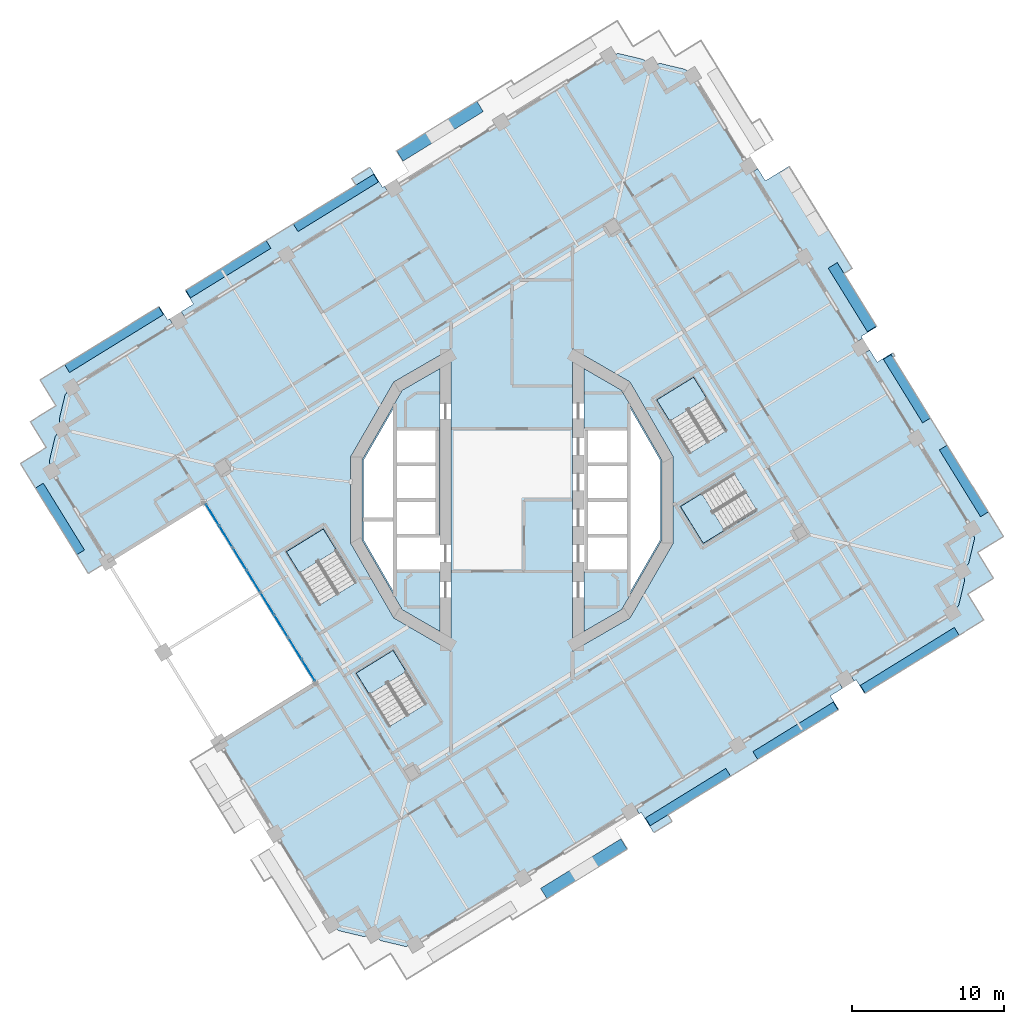
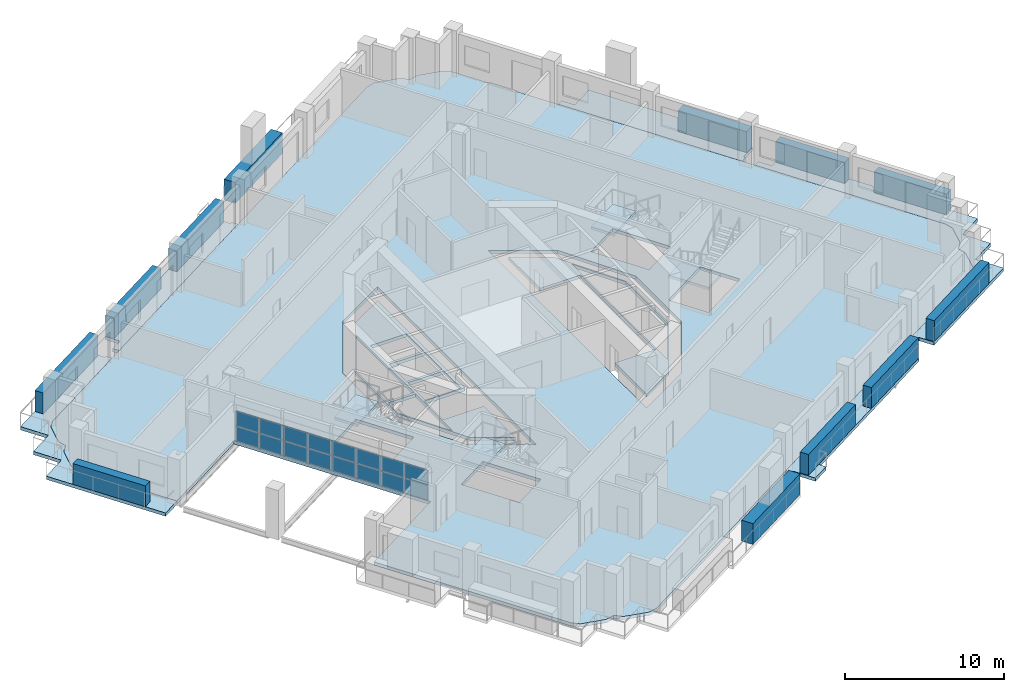
# One storey, part 4 of 20: 28 plates, 12 slabs, 5 elements without a shape of their own.
"""IFC4 building model written with IfcOpenShell, lengths in metres."""

from ifc_helpers import new_model, si_unit, direction, frame, origin, origin_2d, place, context, subcontext, project, spatial, polyline, rectangle, outline, extrude, material, layer, layer_set, type_object, element, aggregate, save


model = new_model("IFC4")

# Units and contexts
model_context = context("Model", 3, precision=1e-05, world=origin(), true_north=direction((0.0, 1.0)))
body_context = subcontext(model_context, "Body", "Model", "MODEL_VIEW")
ifc_project = project(units=[si_unit("LENGTHUNIT", "METRE"), si_unit("AREAUNIT", "SQUARE_METRE"), si_unit("VOLUMEUNIT", "CUBIC_METRE"), si_unit("PLANEANGLEUNIT", "RADIAN"), si_unit("MASSUNIT", "GRAM", prefix="KILO")], contexts=[model_context])

# Site, building, storey
site_placement = place(None, origin())
site = spatial("IfcSite", under=ifc_project, at=site_placement, CompositionType="ELEMENT")
building_placement = place(site_placement, origin())
building = spatial("IfcBuilding", under=site, at=building_placement, Name="Cantera Rosa Tower", CompositionType="ELEMENT")
storey_placement = place(building_placement, frame((0.0, 0.0, 155.199951171875)))
storey = spatial("IfcBuildingStorey", under=building, at=storey_placement, Name="L33", CompositionType="ELEMENT", Elevation=155.199951171875)

# Slabs
ifc_material_1 = material(Name="Concrete C35/45", Category="concrete")
ifc_layer_1 = layer(ifc_material_1, 0.25)
ifc_layer_set_1 = layer_set([ifc_layer_1], Name="COMPOSITE FLOOR SLAB 250 C35/45")
slab_type_1 = type_object("IfcSlabType", Name="COMPOSITE FLOOR SLAB 250 C35/45", PredefinedType="FLOOR", material=ifc_layer_set_1)
slab_1_placement = place(storey_placement, frame((0.0, 0.0, -0.25)))
element("IfcSlab", 1, at=slab_1_placement, inside=storey, type_object=slab_type_1, Name="SLAB L33 floor 1", PredefinedType="FLOOR", context=body_context, shape_type="SweptSolid", body=[
    extrude(outline(polyline([(-7.22900390625, 7.22900390625), (-4.75, 8.660400390625), (-4.75, -2.35009765625), (-7.699951171875, -2.35009765625), (-7.699951171875, -4.699951171875), (-4.75, -4.699951171875), (-4.75, -8.660400390625), (-7.22900390625, -7.22900390625), (-9.875244140625, -2.64599609375), (-9.875244140625, 2.64599609375), (-7.22900390625, 7.22900390625)]), holes=[polyline([(-7.800048828125, -1.3828125), (-9.775146484375, -1.3828125), (-9.775146484375, -2.619384765625), (-7.800048828125, -6.040283203125), (-7.800048828125, -1.3828125)]), polyline([(-7.60009765625, -0.10009765625), (-7.60009765625, -2.25), (-5.0, -2.25), (-5.0, -0.10009765625), (-7.60009765625, -0.10009765625)]), polyline([(-7.60009765625, 2.25), (-7.60009765625, 0.10009765625), (-5.0, 0.10009765625), (-5.0, 2.25), (-7.60009765625, 2.25)]), polyline([(-7.800048828125, -1.1826171875), (-7.800048828125, 6.040283203125), (-9.775146484375, 2.619384765625), (-9.775146484375, -1.1826171875), (-7.800048828125, -1.1826171875)]), polyline([(-5.0, 4.60009765625), (-7.60009765625, 4.60009765625), (-7.60009765625, 2.449951171875), (-5.0, 2.449951171875), (-5.0, 4.60009765625)])]), origin(), (0.0, 0.0, 1.0), 0.25),
])
slab_2_placement = place(storey_placement, frame((0.0, 0.0, -0.25)))
element("IfcSlab", 2, at=slab_2_placement, inside=storey, type_object=slab_type_1, Name="SLAB L33 floor 2", PredefinedType="FLOOR", context=body_context, shape_type="SweptSolid", body=[
    extrude(outline(polyline([(-8.647705078125, -29.0283203125), (-8.673828125, -29.014892578125), (-8.698486328125, -28.998779296875), (-8.721435546875, -28.98046875), (-9.14208984375, -28.60888671875), (-9.684814453125, -28.752197265625), (-9.713623046875, -28.75830078125), (-9.742919921875, -28.761474609375), (-9.772216796875, -28.76171875), (-9.801513671875, -28.75927734375), (-9.83056640625, -28.75390625), (-11.34423828125, -28.395263671875), (-11.37255859375, -28.386962890625), (-11.39990234375, -28.376220703125), (-11.426025390625, -28.362548828125), (-11.45068359375, -28.346435546875), (-11.4736328125, -28.328125), (-11.894287109375, -27.95654296875), (-12.408935546875, -27.122314453125), (-19.264892578125, -16.0068359375), (-12.881591796875, -12.069580078125), (-20.252197265625, -0.119873046875), (-26.6357421875, -4.05712890625), (-30.321044921875, 1.917724609375), (-30.46435546875, 2.460205078125), (-30.470458984375, 2.489013671875), (-30.4736328125, 2.518310546875), (-30.47412109375, 2.5478515625), (-30.4716796875, 2.5771484375), (-30.46630859375, 2.606201171875), (-30.107421875, 4.119873046875), (-30.09912109375, 4.148193359375), (-30.08837890625, 4.17529296875), (-30.07470703125, 4.20166015625), (-30.05859375, 4.226318359375), (-30.040283203125, 4.249267578125), (-29.668701171875, 4.669921875), (-29.81201171875, 5.21240234375), (-29.818115234375, 5.2412109375), (-29.8212890625, 5.2705078125), (-29.82177734375, 5.300048828125), (-29.8193359375, 5.329345703125), (-29.81396484375, 5.3583984375), (-29.455078125, 6.8720703125), (-29.447021484375, 6.900390625), (-29.43603515625, 6.927490234375), (-29.422607421875, 6.953857421875), (-29.406494140625, 6.978515625), (-29.38818359375, 7.00146484375), (-29.0166015625, 7.422119140625), (6.389892578125, 29.260986328125), (6.9326171875, 29.404296875), (6.96142578125, 29.410400390625), (6.99072265625, 29.413818359375), (7.02001953125, 29.4140625), (7.049560546875, 29.41162109375), (7.078369140625, 29.40625), (8.592041015625, 29.047607421875), (8.620361328125, 29.039306640625), (8.647705078125, 29.0283203125), (8.673828125, 29.014892578125), (8.698486328125, 28.998779296875), (8.721435546875, 28.98046875), (9.14208984375, 28.60888671875), (9.684814453125, 28.752197265625), (9.713623046875, 28.75830078125), (9.742919921875, 28.761474609375), (9.772216796875, 28.76171875), (9.801513671875, 28.75927734375), (9.83056640625, 28.75390625), (11.34423828125, 28.395263671875), (11.37255859375, 28.386962890625), (11.39990234375, 28.376220703125), (11.426025390625, 28.362548828125), (11.45068359375, 28.346435546875), (11.4736328125, 28.328125), (11.894287109375, 27.95654296875), (30.321044921875, -1.917724609375), (30.46435546875, -2.460205078125), (30.470458984375, -2.489013671875), (30.4736328125, -2.518310546875), (30.47412109375, -2.5478515625), (30.4716796875, -2.5771484375), (30.46630859375, -2.606201171875), (30.107421875, -4.119873046875), (30.09912109375, -4.148193359375), (30.08837890625, -4.17529296875), (30.07470703125, -4.20166015625), (30.05859375, -4.226318359375), (30.040283203125, -4.249267578125), (29.668701171875, -4.669921875), (29.81201171875, -5.21240234375), (29.818115234375, -5.2412109375), (29.8212890625, -5.2705078125), (29.82177734375, -5.300048828125), (29.8193359375, -5.329345703125), (29.81396484375, -5.3583984375), (29.455078125, -6.8720703125), (29.447021484375, -6.900390625), (29.43603515625, -6.927490234375), (29.422607421875, -6.953857421875), (29.406494140625, -6.978515625), (29.38818359375, -7.00146484375), (29.0166015625, -7.422119140625), (28.18212890625, -7.9365234375), (-6.389892578125, -29.260986328125), (-6.9326171875, -29.404296875), (-6.96142578125, -29.410400390625), (-6.99072265625, -29.413818359375), (-7.02001953125, -29.4140625), (-7.049560546875, -29.41162109375), (-7.078369140625, -29.40625), (-8.592041015625, -29.047607421875), (-8.620361328125, -29.039306640625), (-8.647705078125, -29.0283203125)]), holes=[polyline([(-5.658447265625, -13.433349609375), (-7.830810546875, -9.911376953125), (-10.256591796875, -11.407470703125), (-8.084228515625, -14.929443359375), (-5.658447265625, -13.433349609375)]), polyline([(-10.258544921875, -5.433349609375), (-12.430908203125, -1.911376953125), (-14.8564453125, -3.407470703125), (-12.68408203125, -6.929443359375), (-10.258544921875, -5.433349609375)]), polyline([(-7.7783203125, 7.7783203125), (-10.625244140625, 2.846923828125), (-10.625244140625, -2.846923828125), (-7.7783203125, -7.7783203125), (-4.0, -9.95947265625), (-4.0, 9.95947265625), (-7.7783203125, 7.7783203125)]), polyline([(14.63330078125, 1.741455078125), (11.111328125, -0.430908203125), (12.607421875, -2.8564453125), (16.12939453125, -0.68408203125), (14.63330078125, 1.741455078125)]), polyline([(7.7783203125, -7.7783203125), (10.625244140625, -2.846923828125), (10.625244140625, 2.846923828125), (7.7783203125, 7.7783203125), (4.0, 9.95947265625), (4.0, -9.95947265625), (7.7783203125, -7.7783203125)]), polyline([(11.7158203125, 3.070556640625), (14.1416015625, 4.566650390625), (11.96923828125, 8.088623046875), (9.54345703125, 6.592529296875), (11.7158203125, 3.070556640625)])]), origin(), (0.0, 0.0, 1.0), 0.25),
])
slab_3_placement = place(storey_placement, frame((0.0, 0.0, -0.25)))
element("IfcSlab", 3, at=slab_3_placement, inside=storey, type_object=slab_type_1, Name="SLAB L33 floor 3", PredefinedType="FLOOR", context=body_context, shape_type="SweptSolid", body=[
    extrude(outline(polyline([(7.699951171875, 0.0), (7.699951171875, 2.35009765625), (7.699951171875, 4.699951171875), (4.75, 4.699951171875), (4.75, 8.660400390625), (7.22900390625, 7.22900390625), (9.875244140625, 2.64599609375), (9.875244140625, -2.64599609375), (7.22900390625, -7.22900390625), (4.75, -8.660400390625), (4.75, -4.699951171875), (7.699951171875, -4.699951171875), (7.699951171875, -2.35009765625), (7.699951171875, 0.0)]), holes=[polyline([(9.775146484375, 2.619384765625), (7.800048828125, 6.040283203125), (7.800048828125, 2.449951171875), (7.800048828125, 2.25), (7.800048828125, -2.25), (7.800048828125, -2.449951171875), (7.800048828125, -6.040283203125), (9.775146484375, -2.619384765625), (9.775146484375, 2.619384765625)])]), origin(), (0.0, 0.0, 1.0), 0.25),
])

# Curtain wall, plates
ifc_material_2 = material(Name="Aluminium frame with clear glass", Category="aluminium")
curtain_wall_type = type_object("IfcCurtainWallType", Name="CW1 TERRACE POCKET GLAZING", PredefinedType="NOTDEFINED", material=ifc_material_2)
curtain_wall_placement = place(storey_placement, origin())
curtain_wall = element("IfcCurtainWall", 4, at=curtain_wall_placement, inside=storey, type_object=curtain_wall_type, Name="CW1 CW1", PredefinedType="NOTDEFINED")
ifc_material_3 = material(Name="Aluminium frame with clear glass", Category="aluminium")
ifc_layer_2 = layer(ifc_material_3, 0.028076171875)
ifc_layer_set_2 = layer_set([ifc_layer_2], Name="CW-PANEL POCKET")
plate_type_1 = type_object("IfcPlateType", Name="CW-PANEL POCKET", PredefinedType="CURTAIN_PANEL", material=ifc_layer_set_2)
plate_1_placement = place(storey_placement, frame((-19.726318359375, -0.97265625, 0.06005859375), z_axis=(0.0, 0.0, 1.0), x_axis=(0.52497658034, -0.851116672434, 0.0)))
plate_1 = element("IfcPlate", 5, at=plate_1_placement, type_object=plate_type_1, Name="CW1 panel 1.1", PredefinedType="CURTAIN_PANEL", context=body_context, shape_type="SweptSolid", body=[
    extrude(rectangle(XDim=1.6337890625, YDim=0.028076171875, at=origin_2d()), origin(), (0.0, 0.0, 1.0), 1.115966796875),
])
plate_2_placement = place(storey_placement, frame((-19.726318359375, -0.97265625, 1.23583984375), z_axis=(0.0, 0.0, 1.0), x_axis=(0.52497658034, -0.851116672434, 0.0)))
plate_2 = element("IfcPlate", 6, at=plate_2_placement, type_object=plate_type_1, Name="CW1 panel 1.2", PredefinedType="CURTAIN_PANEL", context=body_context, shape_type="SweptSolid", body=[
    extrude(rectangle(XDim=1.6337890625, YDim=0.028076171875, at=origin_2d()), origin(), (0.0, 0.0, 1.0), 1.115966796875),
])
plate_3_placement = place(storey_placement, frame((-18.829345703125, -2.427001953125, 0.06005859375), z_axis=(0.0, 0.0, 1.0), x_axis=(0.52497658034, -0.851116672434, 0.0)))
plate_3 = element("IfcPlate", 7, at=plate_3_placement, type_object=plate_type_1, Name="CW1 panel 2.1", PredefinedType="CURTAIN_PANEL", context=body_context, shape_type="SweptSolid", body=[
    extrude(rectangle(XDim=1.663818359375, YDim=0.028076171875, at=origin_2d()), origin(), (0.0, 0.0, 1.0), 1.115966796875),
])
plate_4_placement = place(storey_placement, frame((-18.829345703125, -2.427001953125, 1.23583984375), z_axis=(0.0, 0.0, 1.0), x_axis=(0.52497658034, -0.851116672434, 0.0)))
plate_4 = element("IfcPlate", 8, at=plate_4_placement, type_object=plate_type_1, Name="CW1 panel 2.2", PredefinedType="CURTAIN_PANEL", context=body_context, shape_type="SweptSolid", body=[
    extrude(rectangle(XDim=1.663818359375, YDim=0.028076171875, at=origin_2d()), origin(), (0.0, 0.0, 1.0), 1.115966796875),
])
plate_5_placement = place(storey_placement, frame((-17.92431640625, -3.89404296875, 0.06005859375), z_axis=(0.0, 0.0, 1.0), x_axis=(0.52497658034, -0.851116672434, 0.0)))
plate_5 = element("IfcPlate", 9, at=plate_5_placement, type_object=plate_type_1, Name="CW1 panel 3.1", PredefinedType="CURTAIN_PANEL", context=body_context, shape_type="SweptSolid", body=[
    extrude(rectangle(XDim=1.663818359375, YDim=0.028076171875, at=origin_2d()), origin(), (0.0, 0.0, 1.0), 1.115966796875),
])
plate_6_placement = place(storey_placement, frame((-17.92431640625, -3.89404296875, 1.23583984375), z_axis=(0.0, 0.0, 1.0), x_axis=(0.52497658034, -0.851116672434, 0.0)))
plate_6 = element("IfcPlate", 10, at=plate_6_placement, type_object=plate_type_1, Name="CW1 panel 3.2", PredefinedType="CURTAIN_PANEL", context=body_context, shape_type="SweptSolid", body=[
    extrude(rectangle(XDim=1.663818359375, YDim=0.028076171875, at=origin_2d()), origin(), (0.0, 0.0, 1.0), 1.115966796875),
])
plate_7_placement = place(storey_placement, frame((-17.01953125, -5.361083984375, 0.06005859375), z_axis=(0.0, 0.0, 1.0), x_axis=(0.52497658034, -0.851116672434, 0.0)))
plate_7 = element("IfcPlate", 11, at=plate_7_placement, type_object=plate_type_1, Name="CW1 panel 4.1", PredefinedType="CURTAIN_PANEL", context=body_context, shape_type="SweptSolid", body=[
    extrude(rectangle(XDim=1.663818359375, YDim=0.028076171875, at=origin_2d()), origin(), (0.0, 0.0, 1.0), 1.115966796875),
])
plate_8_placement = place(storey_placement, frame((-17.01953125, -5.361083984375, 1.23583984375), z_axis=(0.0, 0.0, 1.0), x_axis=(0.52497658034, -0.851116672434, 0.0)))
plate_8 = element("IfcPlate", 12, at=plate_8_placement, type_object=plate_type_1, Name="CW1 panel 4.2", PredefinedType="CURTAIN_PANEL", context=body_context, shape_type="SweptSolid", body=[
    extrude(rectangle(XDim=1.663818359375, YDim=0.028076171875, at=origin_2d()), origin(), (0.0, 0.0, 1.0), 1.115966796875),
])
plate_9_placement = place(storey_placement, frame((-16.114501953125, -6.828125, 0.06005859375), z_axis=(0.0, 0.0, 1.0), x_axis=(0.52497658034, -0.851116672434, 0.0)))
plate_9 = element("IfcPlate", 13, at=plate_9_placement, type_object=plate_type_1, Name="CW1 panel 5.1", PredefinedType="CURTAIN_PANEL", context=body_context, shape_type="SweptSolid", body=[
    extrude(rectangle(XDim=1.663818359375, YDim=0.028076171875, at=origin_2d()), origin(), (0.0, 0.0, 1.0), 1.115966796875),
])
plate_10_placement = place(storey_placement, frame((-16.114501953125, -6.828125, 1.23583984375), z_axis=(0.0, 0.0, 1.0), x_axis=(0.52497658034, -0.851116672434, 0.0)))
plate_10 = element("IfcPlate", 14, at=plate_10_placement, type_object=plate_type_1, Name="CW1 panel 5.2", PredefinedType="CURTAIN_PANEL", context=body_context, shape_type="SweptSolid", body=[
    extrude(rectangle(XDim=1.663818359375, YDim=0.028076171875, at=origin_2d()), origin(), (0.0, 0.0, 1.0), 1.115966796875),
])
plate_11_placement = place(storey_placement, frame((-15.20947265625, -8.29541015625, 0.06005859375), z_axis=(0.0, 0.0, 1.0), x_axis=(0.52497658034, -0.851116672434, 0.0)))
plate_11 = element("IfcPlate", 15, at=plate_11_placement, type_object=plate_type_1, Name="CW1 panel 6.1", PredefinedType="CURTAIN_PANEL", context=body_context, shape_type="SweptSolid", body=[
    extrude(rectangle(XDim=1.663818359375, YDim=0.028076171875, at=origin_2d()), origin(), (0.0, 0.0, 1.0), 1.115966796875),
])
plate_12_placement = place(storey_placement, frame((-15.20947265625, -8.29541015625, 1.23583984375), z_axis=(0.0, 0.0, 1.0), x_axis=(0.52497658034, -0.851116672434, 0.0)))
plate_12 = element("IfcPlate", 16, at=plate_12_placement, type_object=plate_type_1, Name="CW1 panel 6.2", PredefinedType="CURTAIN_PANEL", context=body_context, shape_type="SweptSolid", body=[
    extrude(rectangle(XDim=1.663818359375, YDim=0.028076171875, at=origin_2d()), origin(), (0.0, 0.0, 1.0), 1.115966796875),
])
plate_13_placement = place(storey_placement, frame((-14.3046875, -9.762451171875, 0.06005859375), z_axis=(0.0, 0.0, 1.0), x_axis=(0.52497658034, -0.851116672434, 0.0)))
plate_13 = element("IfcPlate", 17, at=plate_13_placement, type_object=plate_type_1, Name="CW1 panel 7.1", PredefinedType="CURTAIN_PANEL", context=body_context, shape_type="SweptSolid", body=[
    extrude(rectangle(XDim=1.663818359375, YDim=0.028076171875, at=origin_2d()), origin(), (0.0, 0.0, 1.0), 1.115966796875),
])
plate_14_placement = place(storey_placement, frame((-14.3046875, -9.762451171875, 1.23583984375), z_axis=(0.0, 0.0, 1.0), x_axis=(0.52497658034, -0.851116672434, 0.0)))
plate_14 = element("IfcPlate", 18, at=plate_14_placement, type_object=plate_type_1, Name="CW1 panel 7.2", PredefinedType="CURTAIN_PANEL", context=body_context, shape_type="SweptSolid", body=[
    extrude(rectangle(XDim=1.663818359375, YDim=0.028076171875, at=origin_2d()), origin(), (0.0, 0.0, 1.0), 1.115966796875),
])
plate_15_placement = place(storey_placement, frame((-13.40771484375, -11.216796875, 0.06005859375), z_axis=(0.0, 0.0, 1.0), x_axis=(0.52497658034, -0.851116672434, 0.0)))
plate_15 = element("IfcPlate", 19, at=plate_15_placement, type_object=plate_type_1, Name="CW1 panel 8.1", PredefinedType="CURTAIN_PANEL", context=body_context, shape_type="SweptSolid", body=[
    extrude(rectangle(XDim=1.6337890625, YDim=0.028076171875, at=origin_2d()), origin(), (0.0, 0.0, 1.0), 1.115966796875),
])
plate_16_placement = place(storey_placement, frame((-13.40771484375, -11.216796875, 1.23583984375), z_axis=(0.0, 0.0, 1.0), x_axis=(0.52497658034, -0.851116672434, 0.0)))
plate_16 = element("IfcPlate", 20, at=plate_16_placement, type_object=plate_type_1, Name="CW1 panel 8.2", PredefinedType="CURTAIN_PANEL", context=body_context, shape_type="SweptSolid", body=[
    extrude(rectangle(XDim=1.6337890625, YDim=0.028076171875, at=origin_2d()), origin(), (0.0, 0.0, 1.0), 1.115966796875),
])
aggregate(curtain_wall, [plate_1, plate_2, plate_3, plate_4, plate_5, plate_6, plate_7, plate_8, plate_9, plate_10, plate_11, plate_12, plate_13, plate_14, plate_15, plate_16])

# Slabs
ifc_material_4 = material(Name="Concrete C35/45", Category="concrete")
ifc_layer_3 = layer(ifc_material_4, 0.25)
ifc_layer_set_3 = layer_set([ifc_layer_3], Name="LOGGIA SLAB 250 C35/45")
slab_type_2 = type_object("IfcSlabType", Name="LOGGIA SLAB 250 C35/45", PredefinedType="FLOOR", material=ifc_layer_set_3)
slab_4_placement = place(storey_placement, frame((0.0, 0.0, -0.25)))
element("IfcSlab", 21, at=slab_4_placement, inside=storey, type_object=slab_type_2, Name="LOGGIA SLAB L33 1", PredefinedType="FLOOR", context=body_context, shape_type="SweptSolid", body=[
    extrude(outline(polyline([(-31.59765625, 1.130126953125), (-32.38525390625, 2.406982421875), (-31.1083984375, 3.1943359375), (-30.682861328125, 3.456787109375), (-30.9453125, 3.88232421875), (-31.73291015625, 5.1591796875), (-30.456298828125, 5.946533203125), (-30.03076171875, 6.208984375), (-30.293212890625, 6.634521484375), (-31.08056640625, 7.911376953125), (-29.803955078125, 8.69873046875), (-23.999267578125, 12.279052734375), (-23.2333984375, 12.75146484375), (-22.68212890625, 11.85791015625), (-22.554443359375, 11.9365234375), (-22.318115234375, 11.5537109375), (-29.0166015625, 7.422119140625), (-29.38818359375, 7.00146484375), (-29.406494140625, 6.978515625), (-29.422607421875, 6.953857421875), (-29.43603515625, 6.927490234375), (-29.447021484375, 6.900390625), (-29.455078125, 6.8720703125), (-29.81396484375, 5.3583984375), (-29.8193359375, 5.329345703125), (-29.82177734375, 5.300048828125), (-29.8212890625, 5.2705078125), (-29.818115234375, 5.2412109375), (-29.81201171875, 5.21240234375), (-29.668701171875, 4.669921875), (-30.040283203125, 4.249267578125), (-30.05859375, 4.226318359375), (-30.07470703125, 4.20166015625), (-30.08837890625, 4.17529296875), (-30.09912109375, 4.148193359375), (-30.107421875, 4.119873046875), (-30.46630859375, 2.606201171875), (-30.4716796875, 2.5771484375), (-30.47412109375, 2.5478515625), (-30.4736328125, 2.518310546875), (-30.470458984375, 2.489013671875), (-30.46435546875, 2.460205078125), (-30.321044921875, 1.917724609375), (-26.6357421875, -4.05712890625), (-27.912353515625, -4.844482421875), (-28.69970703125, -3.568115234375), (-31.59765625, 1.130126953125)])), origin(), (0.0, 0.0, 1.0), 0.25),
])
slab_5_placement = place(storey_placement, frame((0.0, 0.0, -0.25)))
element("IfcSlab", 22, at=slab_5_placement, inside=storey, type_object=slab_type_2, Name="LOGGIA SLAB L33 3", PredefinedType="FLOOR", context=body_context, shape_type="SweptSolid", body=[
    extrude(outline(polyline([(-14.36474609375, 18.2216796875), (-10.279541015625, 20.741455078125), (-10.552734375, 21.184326171875), (-9.343994140625, 21.929931640625), (-8.51953125, 20.593505859375), (-8.391845703125, 20.672119140625), (-8.155517578125, 20.289306640625), (-21.55224609375, 12.026123046875), (-21.788330078125, 12.4091796875), (-20.97998046875, 12.90771484375), (-21.531005859375, 13.801513671875), (-21.446044921875, 13.85400390625), (-16.91796875, 16.64697265625), (-14.36474609375, 18.2216796875)])), origin(), (0.0, 0.0, 1.0), 0.25),
])
slab_6_placement = place(storey_placement, frame((0.0, 0.0, -0.25)))
element("IfcSlab", 23, at=slab_6_placement, inside=storey, type_object=slab_type_2, Name="LOGGIA SLAB L33 6", PredefinedType="FLOOR", context=body_context, shape_type="SweptSolid", body=[
    extrude(outline(polyline([(8.51953125, -20.593505859375), (8.391845703125, -20.672119140625), (8.155517578125, -20.289306640625), (21.55224609375, -12.026123046875), (21.788330078125, -12.4091796875), (20.97998046875, -12.90771484375), (21.531005859375, -13.801513671875), (21.446044921875, -13.85400390625), (16.91796875, -16.64697265625), (14.36474609375, -18.2216796875), (10.279541015625, -20.741455078125), (10.552734375, -21.184326171875), (9.343994140625, -21.929931640625), (8.51953125, -20.593505859375)])), origin(), (0.0, 0.0, 1.0), 0.25),
])
slab_7_placement = place(storey_placement, frame((0.0, 0.0, -0.25)))
element("IfcSlab", 24, at=slab_7_placement, inside=storey, type_object=slab_type_2, Name="LOGGIA SLAB L33 7", PredefinedType="FLOOR", context=body_context, shape_type="SweptSolid", body=[
    extrude(outline(polyline([(24.04541015625, 11.41259765625), (23.018310546875, 10.77880859375), (23.09716796875, 10.651123046875), (22.714111328125, 10.4150390625), (15.81591796875, 21.5986328125), (16.198974609375, 21.8349609375), (16.69775390625, 21.0263671875), (18.265380859375, 21.993408203125), (22.4189453125, 15.25927734375), (21.87841796875, 14.92578125), (24.04541015625, 11.41259765625)])), origin(), (0.0, 0.0, 1.0), 0.25),
])
slab_8_placement = place(storey_placement, frame((0.0, 0.0, -0.25)))
element("IfcSlab", 25, at=slab_8_placement, inside=storey, type_object=slab_type_2, Name="LOGGIA SLAB L33 8", PredefinedType="FLOOR", context=body_context, shape_type="SweptSolid", body=[
    extrude(outline(polyline([(27.125, 6.121337890625), (28.69970703125, 3.568115234375), (31.59765625, -1.130126953125), (32.38525390625, -2.406982421875), (31.1083984375, -3.1943359375), (30.682861328125, -3.456787109375), (30.9453125, -3.88232421875), (31.73291015625, -5.1591796875), (30.456298828125, -5.946533203125), (30.03076171875, -6.208984375), (30.293212890625, -6.634521484375), (31.08056640625, -7.911376953125), (29.803955078125, -8.69873046875), (23.999267578125, -12.279052734375), (23.2333984375, -12.75146484375), (22.68212890625, -11.85791015625), (22.554443359375, -11.9365234375), (22.318115234375, -11.5537109375), (28.18212890625, -7.9365234375), (29.0166015625, -7.422119140625), (29.38818359375, -7.00146484375), (29.406494140625, -6.978515625), (29.422607421875, -6.953857421875), (29.43603515625, -6.927490234375), (29.447021484375, -6.900390625), (29.455078125, -6.8720703125), (29.81396484375, -5.3583984375), (29.8193359375, -5.329345703125), (29.82177734375, -5.300048828125), (29.8212890625, -5.2705078125), (29.818115234375, -5.2412109375), (29.81201171875, -5.21240234375), (29.668701171875, -4.669921875), (30.040283203125, -4.249267578125), (30.05859375, -4.226318359375), (30.07470703125, -4.20166015625), (30.08837890625, -4.17529296875), (30.09912109375, -4.148193359375), (30.107421875, -4.119873046875), (30.46630859375, -2.606201171875), (30.4716796875, -2.5771484375), (30.47412109375, -2.5478515625), (30.4736328125, -2.518310546875), (30.470458984375, -2.489013671875), (30.46435546875, -2.460205078125), (30.321044921875, -1.917724609375), (23.1865234375, 9.64892578125), (23.569580078125, 9.88525390625), (24.068359375, 9.07666015625), (25.095458984375, 9.710205078125), (25.230224609375, 9.49169921875), (25.0966796875, 9.4091796875), (27.125, 6.121337890625)])), origin(), (0.0, 0.0, 1.0), 0.25),
])

# Plates
ifc_material_5 = material(Name="Cantera stone planter with soil", Category="masonry")
plate_type_2 = type_object("IfcPlateType", Name="PLANTER 600", PredefinedType="USERDEFINED", material=ifc_material_5)
plate_17_placement = place(storey_placement, frame((29.775390625, 1.2529296875, 0.0), z_axis=(0.0, 0.0, 1.0), x_axis=(-0.52497658034, 0.851116672434, 0.0)))
element("IfcPlate", 26, at=plate_17_placement, inside=storey, type_object=plate_type_2, Name="PLANTER L33-01", ObjectType="PLANTER", PredefinedType="USERDEFINED", context=body_context, shape_type="SweptSolid", body=[
    extrude(rectangle(XDim=5.169921875, YDim=0.60009765625, at=origin_2d()), origin(), (0.0, 0.0, 1.0), 1.60009765625),
])
plate_18_placement = place(storey_placement, frame((26.0244140625, 7.333984375, 0.0), z_axis=(0.0, 0.0, 1.0), x_axis=(-0.52497658034, 0.851116672434, 0.0)))
element("IfcPlate", 27, at=plate_18_placement, inside=storey, type_object=plate_type_2, Name="PLANTER L33-02", ObjectType="PLANTER", PredefinedType="USERDEFINED", context=body_context, shape_type="SweptSolid", body=[
    extrude(rectangle(XDim=4.919921875, YDim=0.60009765625, at=origin_2d()), origin(), (0.0, 0.0, 1.0), 1.60009765625),
])
for number, where, z_axis, x_axis, name in (
    (28, (-11.602783203125, 19.572998046875, 0.0), (0.0, 0.0, 1.0), (-0.851116672434, -0.52497658034, 0.0), "PLANTER L33-08"),
    (29, (-18.68408203125, 15.205078125, 0.0), (0.0, 0.0, 1.0), (-0.851116672434, -0.52497658034, 0.0), "PLANTER L33-09"),
):
    element("IfcPlate", number, at=place(storey_placement, frame(where, z_axis=z_axis, x_axis=x_axis)), inside=storey, type_object=plate_type_2, Name=name, ObjectType="PLANTER", PredefinedType="USERDEFINED", context=body_context, shape_type="SweptSolid", body=[
        extrude(rectangle(XDim=6.219970703125, YDim=0.60009765625, at=origin_2d()), origin(), (0.0, 0.0, 1.0), 1.60009765625),
    ])
plate_19_placement = place(storey_placement, frame((-26.212158203125, 10.561767578125, 0.0), z_axis=(0.0, 0.0, 1.0), x_axis=(-0.851116672434, -0.52497658034, 0.0)))
element("IfcPlate", 30, at=plate_19_placement, inside=storey, type_object=plate_type_2, Name="PLANTER L33-10", ObjectType="PLANTER", PredefinedType="USERDEFINED", context=body_context, shape_type="SweptSolid", body=[
    extrude(rectangle(XDim=7.27001953125, YDim=0.60009765625, at=origin_2d()), origin(), (0.0, 0.0, 1.0), 1.60009765625),
])
plate_20_placement = place(storey_placement, frame((-29.775390625, -1.2529296875, 0.0), z_axis=(0.0, 0.0, 1.0), x_axis=(0.52497658034, -0.851116672434, 0.0)))
element("IfcPlate", 31, at=plate_20_placement, inside=storey, type_object=plate_type_2, Name="PLANTER L33-11", ObjectType="PLANTER", PredefinedType="USERDEFINED", context=body_context, shape_type="SweptSolid", body=[
    extrude(rectangle(XDim=5.169921875, YDim=0.60009765625, at=origin_2d()), origin(), (0.0, 0.0, 1.0), 1.60009765625),
])
for number, where, z_axis, x_axis, name in (
    (32, (11.602783203125, -19.572998046875, 0.0), (0.0, 0.0, 1.0), (0.851116672434, 0.52497658034, 0.0), "PLANTER L33-18"),
    (33, (18.68408203125, -15.205078125, 0.0), (0.0, 0.0, 1.0), (0.851116672434, 0.52497658034, 0.0), "PLANTER L33-19"),
):
    element("IfcPlate", number, at=place(storey_placement, frame(where, z_axis=z_axis, x_axis=x_axis)), inside=storey, type_object=plate_type_2, Name=name, ObjectType="PLANTER", PredefinedType="USERDEFINED", context=body_context, shape_type="SweptSolid", body=[
        extrude(rectangle(XDim=6.219970703125, YDim=0.60009765625, at=origin_2d()), origin(), (0.0, 0.0, 1.0), 1.60009765625),
    ])
plate_21_placement = place(storey_placement, frame((26.212158203125, -10.561767578125, 0.0), z_axis=(0.0, 0.0, 1.0), x_axis=(0.851116672434, 0.52497658034, 0.0)))
element("IfcPlate", 34, at=plate_21_placement, inside=storey, type_object=plate_type_2, Name="PLANTER L33-20", ObjectType="PLANTER", PredefinedType="USERDEFINED", context=body_context, shape_type="SweptSolid", body=[
    extrude(rectangle(XDim=7.27001953125, YDim=0.60009765625, at=origin_2d()), origin(), (0.0, 0.0, 1.0), 1.60009765625),
])
ifc_material_6 = material(Name="Cantera stone planter with soil", Category="masonry")
plate_type_3 = type_object("IfcPlateType", Name="PLANTER 700", PredefinedType="USERDEFINED", material=ifc_material_6)
plate_22_placement = place(storey_placement, frame((22.429931640625, 13.364990234375, 0.0), z_axis=(0.0, 0.0, 1.0), x_axis=(-0.52497658034, 0.851116672434, 0.0)))
element("IfcPlate", 35, at=plate_22_placement, inside=storey, type_object=plate_type_3, Name="PLANTER L33-03", ObjectType="PLANTER", PredefinedType="USERDEFINED", context=body_context, shape_type="SweptSolid", body=[
    extrude(rectangle(XDim=4.919921875, YDim=0.699951171875, at=origin_2d()), origin(), (0.0, 0.0, 1.0), 1.60009765625),
])
ifc_material_7 = material(Name="Cantera stone planter with soil", Category="masonry")
plate_type_4 = type_object("IfcPlateType", Name="PLANTER 800", PredefinedType="USERDEFINED", material=ifc_material_7)
for number, where, z_axis, x_axis, name in (
    (36, (-4.7421875, 24.29833984375, 0.0), (0.0, 0.0, 1.0), (-0.851116672434, -0.52497658034, 0.0), "PLANTER L33-07"),
    (37, (4.7421875, -24.29833984375, 0.0), (0.0, 0.0, 1.0), (0.851116672434, 0.52497658034, 0.0), "PLANTER L33-17"),
):
    element("IfcPlate", number, at=place(storey_placement, frame(where, z_axis=z_axis, x_axis=x_axis)), inside=storey, type_object=plate_type_4, Name=name, ObjectType="PLANTER", PredefinedType="USERDEFINED", context=body_context, shape_type="SweptSolid", body=[
        extrude(rectangle(XDim=6.219970703125, YDim=0.800048828125, at=origin_2d()), origin(), (0.0, 0.0, 1.0), 1.60009765625),
    ])

# Stair, slab
ifc_material_8 = material(Name="Concrete C35/45", Category="concrete")
stair_type = type_object("IfcStairType", Name="EXIT STAIR 1350 DOGLEG", PredefinedType="HALF_TURN_STAIR", material=ifc_material_8)
stair_1_placement = place(storey_placement, origin())
stair_1 = element("IfcStair", 38, at=stair_1_placement, inside=storey, type_object=stair_type, Name="L33 ST-31", PredefinedType="HALF_TURN_STAIR")
ifc_material_9 = material(Name="Concrete C35/45", Category="concrete")
ifc_layer_4 = layer(ifc_material_9, 0.199951171875)
ifc_layer_set_4 = layer_set([ifc_layer_4], Name="STAIR LANDING 200")
slab_type_3 = type_object("IfcSlabType", Name="STAIR LANDING 200", PredefinedType="LANDING", material=ifc_layer_set_4)
slab_9_placement = place(storey_placement, frame((0.0, 0.0, 1.699951171875)))
slab_9 = element("IfcSlab", 39, at=slab_9_placement, type_object=slab_type_3, Name="ST-31 landing 1", PredefinedType="LANDING", context=body_context, shape_type="SweptSolid", body=[
    extrude(outline(polyline([(12.8310546875, 6.691162109375), (11.96923828125, 8.088623046875), (9.54345703125, 6.592529296875), (10.405517578125, 5.19482421875), (12.8310546875, 6.691162109375)])), origin(), (0.0, 0.0, 1.0), 0.2001953125),
])
aggregate(stair_1, [slab_9])

stair_2_placement = place(storey_placement, origin())
stair_2 = element("IfcStair", 40, at=stair_2_placement, inside=storey, type_object=stair_type, Name="L33 ST-32", PredefinedType="HALF_TURN_STAIR")
slab_10_placement = place(storey_placement, frame((0.0, 0.0, 1.699951171875)))
slab_10 = element("IfcSlab", 41, at=slab_10_placement, type_object=slab_type_3, Name="ST-32 landing 1", PredefinedType="LANDING", context=body_context, shape_type="SweptSolid", body=[
    extrude(outline(polyline([(-11.56884765625, -3.308837890625), (-12.430908203125, -1.911376953125), (-14.8564453125, -3.407470703125), (-13.99462890625, -4.80517578125), (-11.56884765625, -3.308837890625)])), origin(), (0.0, 0.0, 1.0), 0.2001953125),
])
aggregate(stair_2, [slab_10])

stair_3_placement = place(storey_placement, origin())
stair_3 = element("IfcStair", 42, at=stair_3_placement, inside=storey, type_object=stair_type, Name="L33 ST-33", PredefinedType="HALF_TURN_STAIR")
slab_11_placement = place(storey_placement, frame((0.0, 0.0, 1.699951171875)))
slab_11 = element("IfcSlab", 43, at=slab_11_placement, type_object=slab_type_3, Name="ST-33 landing 1", PredefinedType="LANDING", context=body_context, shape_type="SweptSolid", body=[
    extrude(outline(polyline([(-6.96875, -11.308837890625), (-7.830810546875, -9.911376953125), (-10.256591796875, -11.407470703125), (-9.39453125, -12.80517578125), (-6.96875, -11.308837890625)])), origin(), (0.0, 0.0, 1.0), 0.2001953125),
])
aggregate(stair_3, [slab_11])

stair_4_placement = place(storey_placement, origin())
stair_4 = element("IfcStair", 44, at=stair_4_placement, inside=storey, type_object=stair_type, Name="L33 ST-34", PredefinedType="HALF_TURN_STAIR")
slab_12_placement = place(storey_placement, frame((0.0, 0.0, 1.699951171875)))
slab_12 = element("IfcSlab", 45, at=slab_12_placement, type_object=slab_type_3, Name="ST-34 landing 1", PredefinedType="LANDING", context=body_context, shape_type="SweptSolid", body=[
    extrude(outline(polyline([(12.5087890625, 0.43115234375), (11.111328125, -0.430908203125), (12.607421875, -2.8564453125), (14.005126953125, -1.99462890625), (12.5087890625, 0.43115234375)])), origin(), (0.0, 0.0, 1.0), 0.2001953125),
])
aggregate(stair_4, [slab_12])

save(model, "model.ifc")
